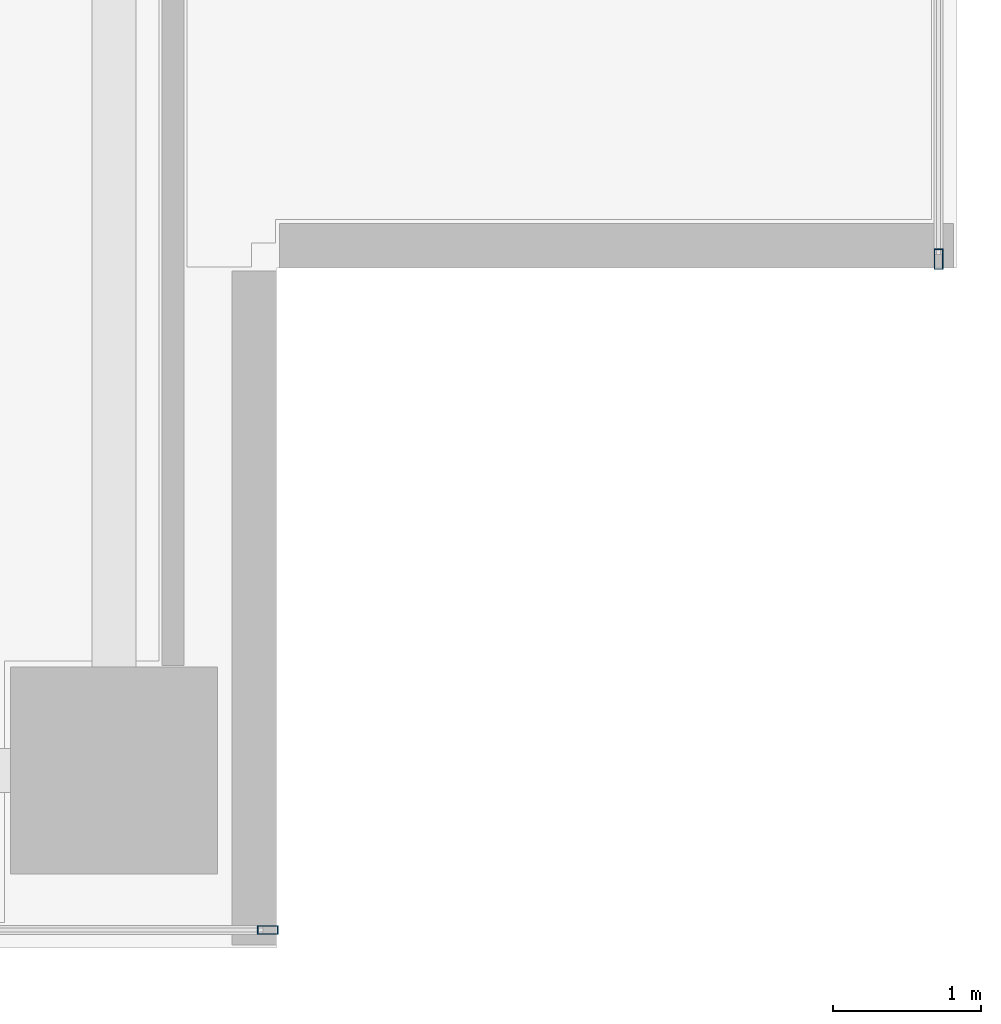
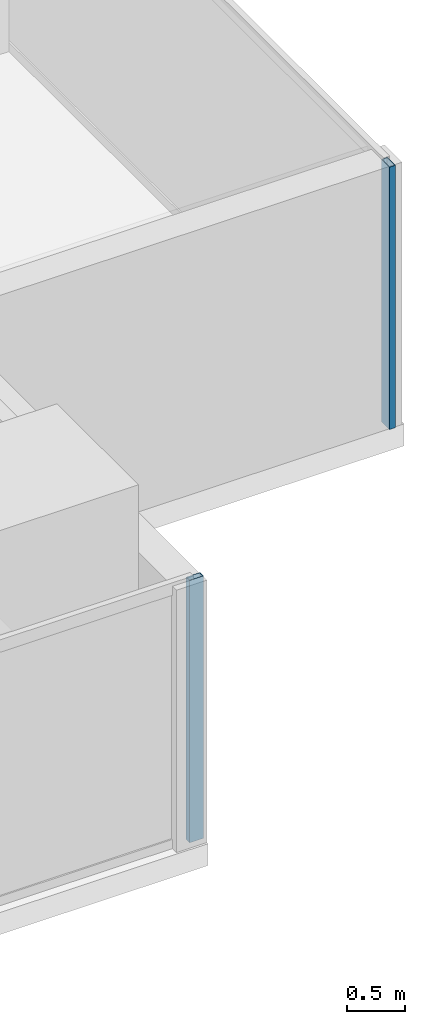
# One storey, part 11 of 26: 2 members, 2 elements without a shape of their own.
"""IFC4 building model written with IfcOpenShell, lengths in metres."""

from ifc_helpers import new_model, si_unit, direction, frame, origin, origin_2d, place, context, subcontext, project, spatial, hollow_rectangle, extrude, source, transform, mapped, material, layer, layer_set, material_profile, profile_set, type_object, element, aggregate, save


model = new_model("IFC4")

# Units and contexts
model_context = context("Model", 3, precision=1e-05, world=origin(), true_north=direction((0.0, 1.0)))
body_context = subcontext(model_context, "Body", "Model", "MODEL_VIEW")
ifc_project = project(units=[si_unit("LENGTHUNIT", "METRE"), si_unit("AREAUNIT", "SQUARE_METRE"), si_unit("VOLUMEUNIT", "CUBIC_METRE"), si_unit("PLANEANGLEUNIT", "RADIAN"), si_unit("MASSUNIT", "GRAM", prefix="KILO")], contexts=[model_context])

# Site, building, storey
site_placement = place(None, origin())
site = spatial("IfcSite", under=ifc_project, at=site_placement, CompositionType="ELEMENT")
building_placement = place(site_placement, origin())
building = spatial("IfcBuilding", under=site, at=building_placement, Name="Sumidabori Civic Tower", CompositionType="ELEMENT")
storey_placement = place(building_placement, frame((0.0, 0.0, 250.39990234375)))
storey = spatial("IfcBuildingStorey", under=building, at=storey_placement, Name="L65", CompositionType="ELEMENT", Elevation=250.39990234375)

# Curtain wall, member
ifc_material = material(Name="Anodised Bronze Aluminium AW-6063-T6", Category="aluminium")
ifc_layer = layer(ifc_material, 0.179931640625, Name="Anodised Bronze Aluminium AW-6063-T6")
ifc_layer_set = layer_set([ifc_layer], Name="Anodised Bronze Aluminium AW-6063-T6")
curtain_wall_type = type_object("IfcCurtainWallType", Name="CW-SYS-5", PredefinedType="NOTDEFINED", material=ifc_layer_set)
curtain_wall_1_placement = place(storey_placement, origin())
curtain_wall_1 = element("IfcCurtainWall", 1, at=curtain_wall_1_placement, inside=storey, type_object=curtain_wall_type, Name="Curtain Wall CW:L65:R01", PredefinedType="NOTDEFINED")
ifc_material_profile = material_profile(ifc_material, hollow_rectangle(XDim=0.06005859375, YDim=0.139892578125, WallThickness=0.0048828125, at=origin_2d()), Name="ALU MULLION 140x60")
ifc_profile_set = profile_set([ifc_material_profile], Name="Anodised Bronze Aluminium AW-6063-T6")
member_type = type_object("IfcMemberType", Name="CW-MUL-140", PredefinedType="MULLION", material=ifc_profile_set)
shared_shape = source(origin(), body_context, "Body", "SweptSolid", [
    extrude(hollow_rectangle(XDim=0.06005859375, YDim=0.139892578125, WallThickness=0.0048828125, at=origin_2d()), origin(), (0.0, 0.0, 1.0), 2.75),
])
member_1_placement = place(storey_placement, frame((17.840087890625, -11.8798828125, 0.0), z_axis=(0.0, 0.0, 1.0), x_axis=(0.0, 1.0, 0.0)))
member_1 = element("IfcMember", 2, at=member_1_placement, type_object=member_type, Name="CW-5 mullion 5", PredefinedType="MULLION", context=body_context, shape_type="MappedRepresentation", body=[
    mapped(shared_shape, transform((0.0, 0.0, 0.0), x_axis=(1.0, 0.0, 0.0), y_axis=(0.0, 1.0, 0.0), z_axis=(0.0, 0.0, 1.0), scale=1.0)),
])
aggregate(curtain_wall_1, [member_1])

curtain_wall_2_placement = place(storey_placement, origin())
curtain_wall_2 = element("IfcCurtainWall", 3, at=curtain_wall_2_placement, inside=storey, type_object=curtain_wall_type, Name="Curtain Wall CW:L65:R04", PredefinedType="NOTDEFINED")
member_2_placement = place(storey_placement, frame((22.3798828125, -7.340087890625, 0.0), z_axis=(0.0, 0.0, 1.0), x_axis=(-1.0, 0.0, 0.0)))
member_2 = element("IfcMember", 4, at=member_2_placement, type_object=member_type, Name="CW-5 mullion 1", PredefinedType="MULLION", context=body_context, shape_type="MappedRepresentation", body=[
    mapped(shared_shape, transform((0.0, 0.0, 0.0), x_axis=(1.0, 0.0, 0.0), y_axis=(0.0, 1.0, 0.0), z_axis=(0.0, 0.0, 1.0), scale=1.0)),
])
aggregate(curtain_wall_2, [member_2])

save(model, "model.ifc")
